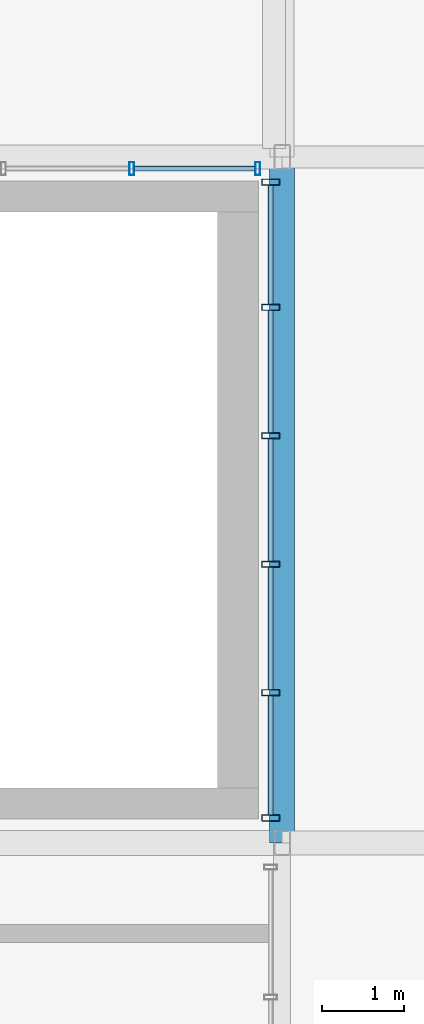
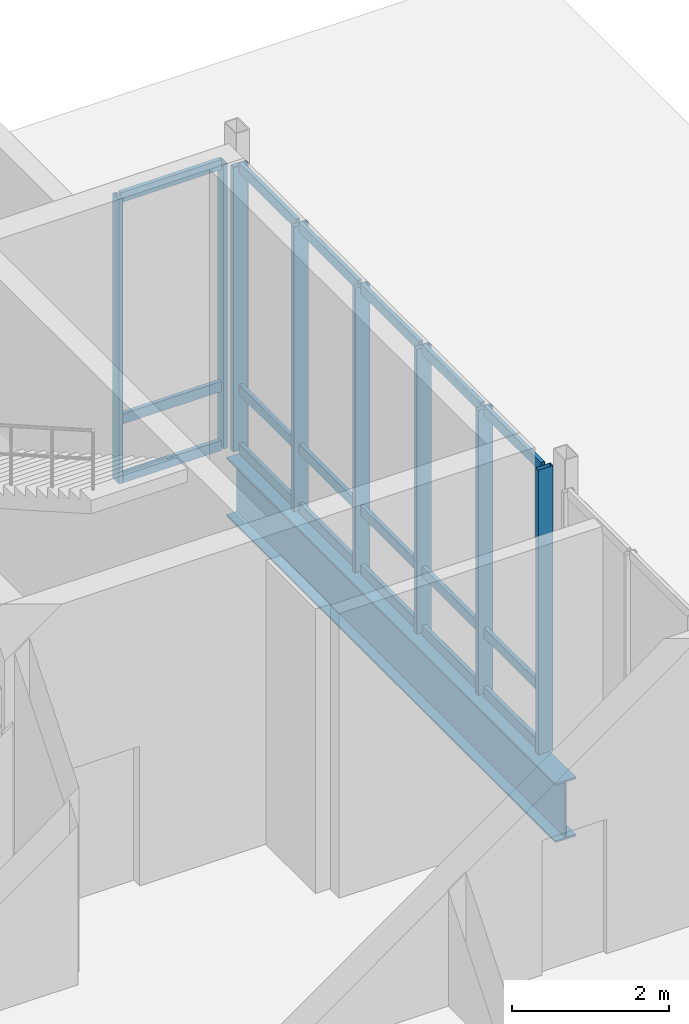
# One storey, part 37 of 81: 26 members, 1 beam, 2 elements without a shape of their own.
"""IFC4 building model written with IfcOpenShell, lengths in metres."""

from ifc_helpers import new_model, si_unit, direction, frame, origin_with_axes, origin_2d_with_axis, place, context, subcontext, project, spatial, hollow_rectangle, i_section, extrude, material, material_profile, profile_set, type_object, element, aggregate, save


model = new_model("IFC4")

# Units and contexts
model_context = context("Model", 3, precision=1e-05, world=origin_with_axes(), true_north=direction((0.0, 1.0)))
body_context = subcontext(model_context, "Body", "Model", "MODEL_VIEW")
ifc_project = project(units=[si_unit("LENGTHUNIT", "METRE"), si_unit("AREAUNIT", "SQUARE_METRE"), si_unit("VOLUMEUNIT", "CUBIC_METRE"), si_unit("PLANEANGLEUNIT", "RADIAN"), si_unit("MASSUNIT", "GRAM", prefix="KILO"), si_unit("THERMODYNAMICTEMPERATUREUNIT", "KELVIN")], contexts=[model_context])

# Site, building, storey
site_placement = place(None, origin_with_axes())
site = spatial("IfcSite", under=ifc_project, at=site_placement, CompositionType="ELEMENT")
building_placement = place(site_placement, origin_with_axes())
building = spatial("IfcBuilding", under=site, at=building_placement, Name="Montbau Bow Law Courts", CompositionType="ELEMENT")
storey_placement = place(building_placement, frame((0.0, 0.0, 24.9), z_axis=(0.0, 0.0, 1.0), x_axis=(1.0, 0.0, 0.0)))
storey = spatial("IfcBuildingStorey", under=building, at=storey_placement, Name="L05", CompositionType="ELEMENT", Elevation=24.9)

# Beam
ifc_material_1 = material(Name="Steel CSA G40.21 Grade 350W (350 MPa)", Category="steel")
ifc_material_profile_1 = material_profile(ifc_material_1, i_section(OverallWidth=0.306, OverallDepth=0.919, WebThickness=0.0173, FlangeThickness=0.0279, at=origin_2d_with_axis()), Name="W920X253", Category="Main", Priority=0)
ifc_profile_set_1 = profile_set([ifc_material_profile_1], Name="Steel CSA G40.21 Grade 350W (350 MPa)")
beam_type = type_object("IfcBeamType", Name="B-FLR-01", PredefinedType="BEAM", material=ifc_profile_set_1)
beam_placement = place(None, frame((88.8, 46.2, 24.12), z_axis=(0.0, 1.0, 0.0), x_axis=(-1.0, 0.0, 0.0)))
element("IfcBeam", 1, at=beam_placement, inside=storey, type_object=beam_type, Name="BM-L05-S0992:bm2_0995", PredefinedType="BEAM", context=body_context, shape_type="SweptSolid", body=[
    extrude(i_section(OverallWidth=0.306, OverallDepth=0.919, WebThickness=0.0173, FlangeThickness=0.0279, at=origin_2d_with_axis()), origin_with_axes(), (0.0, 0.0, 1.0), 8.4),
])

# Curtain wall, members
ifc_material_2 = material(Name="Thermally Broken Extruded Aluminium AA 6063-T6", Category="aluminium")
curtain_wall_type = type_object("IfcCurtainWallType", Name="CW-NCK-02", PredefinedType="NOTDEFINED", material=ifc_material_2)
curtain_wall_1_placement = place(None, frame((88.66, 46.468, 24.9), z_axis=(0.0, 0.0, 1.0), x_axis=(1.0, 0.0, 0.0)))
curtain_wall_1 = element("IfcCurtainWall", 2, at=curtain_wall_1_placement, inside=storey, type_object=curtain_wall_type, Name="CW-L05-222:cw_0222", PredefinedType="NOTDEFINED")
ifc_material_profile_2 = material_profile(ifc_material_2, hollow_rectangle(XDim=0.075, YDim=0.22, WallThickness=0.005, InnerFilletRadius=0.01, OuterFilletRadius=0.005, at=origin_2d_with_axis()), Name="CWM-220X75", Category="Main", Priority=0)
ifc_profile_set_2 = profile_set([ifc_material_profile_2], Name="Thermally Broken Extruded Aluminium AA 6063-T6")
member_type_1 = type_object("IfcMemberType", Name="M-MUL-01", PredefinedType="MULLION", material=ifc_profile_set_2)
member_1_placement = place(None, frame((88.66, 46.505, 24.9), z_axis=(0.0, 0.0, 1.0), x_axis=(0.0, 1.0, 0.0)))
member_1 = element("IfcMember", 3, at=member_1_placement, type_object=member_type_1, Name="CW-L05-222-M01:cw_0222_M01", PredefinedType="MULLION", context=body_context, shape_type="SweptSolid", body=[
    extrude(hollow_rectangle(XDim=0.075, YDim=0.22, WallThickness=0.005, InnerFilletRadius=0.01, OuterFilletRadius=0.005, at=origin_2d_with_axis()), origin_with_axes(), (0.0, 0.0, 1.0), 4.44),
])
member_2_placement = place(None, frame((88.66, 48.041, 24.9), z_axis=(0.0, 0.0, 1.0), x_axis=(0.0, 1.0, 0.0)))
member_2 = element("IfcMember", 4, at=member_2_placement, type_object=member_type_1, Name="CW-L05-222-M02:cw_0222_M02", PredefinedType="MULLION", context=body_context, shape_type="SweptSolid", body=[
    extrude(hollow_rectangle(XDim=0.075, YDim=0.22, WallThickness=0.005, InnerFilletRadius=0.01, OuterFilletRadius=0.005, at=origin_2d_with_axis()), origin_with_axes(), (0.0, 0.0, 1.0), 4.44),
])
member_3_placement = place(None, frame((88.66, 49.614, 24.9), z_axis=(0.0, 0.0, 1.0), x_axis=(0.0, 1.0, 0.0)))
member_3 = element("IfcMember", 5, at=member_3_placement, type_object=member_type_1, Name="CW-L05-222-M03:cw_0222_M03", PredefinedType="MULLION", context=body_context, shape_type="SweptSolid", body=[
    extrude(hollow_rectangle(XDim=0.075, YDim=0.22, WallThickness=0.005, InnerFilletRadius=0.01, OuterFilletRadius=0.005, at=origin_2d_with_axis()), origin_with_axes(), (0.0, 0.0, 1.0), 4.44),
])
member_4_placement = place(None, frame((88.66, 51.186, 24.9), z_axis=(0.0, 0.0, 1.0), x_axis=(0.0, 1.0, 0.0)))
member_4 = element("IfcMember", 6, at=member_4_placement, type_object=member_type_1, Name="CW-L05-222-M04:cw_0222_M04", PredefinedType="MULLION", context=body_context, shape_type="SweptSolid", body=[
    extrude(hollow_rectangle(XDim=0.075, YDim=0.22, WallThickness=0.005, InnerFilletRadius=0.01, OuterFilletRadius=0.005, at=origin_2d_with_axis()), origin_with_axes(), (0.0, 0.0, 1.0), 4.44),
])
member_5_placement = place(None, frame((88.66, 52.759, 24.9), z_axis=(0.0, 0.0, 1.0), x_axis=(0.0, 1.0, 0.0)))
member_5 = element("IfcMember", 7, at=member_5_placement, type_object=member_type_1, Name="CW-L05-222-M05:cw_0222_M05", PredefinedType="MULLION", context=body_context, shape_type="SweptSolid", body=[
    extrude(hollow_rectangle(XDim=0.075, YDim=0.22, WallThickness=0.005, InnerFilletRadius=0.01, OuterFilletRadius=0.005, at=origin_2d_with_axis()), origin_with_axes(), (0.0, 0.0, 1.0), 4.44),
])
member_6_placement = place(None, frame((88.66, 54.294, 24.9), z_axis=(0.0, 0.0, 1.0), x_axis=(0.0, 1.0, 0.0)))
member_6 = element("IfcMember", 8, at=member_6_placement, type_object=member_type_1, Name="CW-L05-222-M06:cw_0222_M06", PredefinedType="MULLION", context=body_context, shape_type="SweptSolid", body=[
    extrude(hollow_rectangle(XDim=0.075, YDim=0.22, WallThickness=0.005, InnerFilletRadius=0.01, OuterFilletRadius=0.005, at=origin_2d_with_axis()), origin_with_axes(), (0.0, 0.0, 1.0), 4.44),
])

curtain_wall_2_placement = place(None, frame((80.668, 54.46, 24.9), z_axis=(0.0, 0.0, 1.0), x_axis=(1.0, 0.0, 0.0)))
curtain_wall_2 = element("IfcCurtainWall", 9, at=curtain_wall_2_placement, inside=storey, type_object=curtain_wall_type, Name="CW-L05-218:cw_0218", PredefinedType="NOTDEFINED")
ifc_material_profile_3 = material_profile(ifc_material_2, hollow_rectangle(XDim=0.06, YDim=0.16, WallThickness=0.004, InnerFilletRadius=0.008, OuterFilletRadius=0.004, at=origin_2d_with_axis()), Name="CWM-160X60", Category="Main", Priority=0)
ifc_profile_set_3 = profile_set([ifc_material_profile_3], Name="Thermally Broken Extruded Aluminium AA 6063-T6")
member_type_2 = type_object("IfcMemberType", Name="M-MUL-03", PredefinedType="MULLION", material=ifc_profile_set_3)
member_7_placement = place(None, frame((86.959, 54.46, 24.9), z_axis=(0.0, 0.0, 1.0), x_axis=(1.0, 0.0, 0.0)))
member_7 = element("IfcMember", 10, at=member_7_placement, type_object=member_type_2, Name="CW-L05-218-M05:cw_0218_M05", PredefinedType="MULLION", context=body_context, shape_type="SweptSolid", body=[
    extrude(hollow_rectangle(XDim=0.06, YDim=0.16, WallThickness=0.004, InnerFilletRadius=0.008, OuterFilletRadius=0.004, at=origin_2d_with_axis()), origin_with_axes(), (0.0, 0.0, 1.0), 4.44),
])
member_8_placement = place(None, frame((88.502, 54.46, 24.9), z_axis=(0.0, 0.0, 1.0), x_axis=(1.0, 0.0, 0.0)))
member_8 = element("IfcMember", 11, at=member_8_placement, type_object=member_type_2, Name="CW-L05-218-M06:cw_0218_M06", PredefinedType="MULLION", context=body_context, shape_type="SweptSolid", body=[
    extrude(hollow_rectangle(XDim=0.06, YDim=0.16, WallThickness=0.004, InnerFilletRadius=0.008, OuterFilletRadius=0.004, at=origin_2d_with_axis()), origin_with_axes(), (0.0, 0.0, 1.0), 4.44),
])
ifc_material_profile_4 = material_profile(ifc_material_2, hollow_rectangle(XDim=0.06, YDim=0.16, WallThickness=0.004, InnerFilletRadius=0.008, OuterFilletRadius=0.004, at=origin_2d_with_axis()), Name="CWT-160X60", Category="Main", Priority=0)
ifc_profile_set_4 = profile_set([ifc_material_profile_4], Name="Thermally Broken Extruded Aluminium AA 6063-T6")
member_type_3 = type_object("IfcMemberType", Name="M-TRN-01", PredefinedType="USERDEFINED", material=ifc_profile_set_4)
member_9_placement = place(None, frame((86.991, 54.46, 24.93), z_axis=(1.0, 0.0, 0.0), x_axis=(0.0, 1.0, 0.0)))
member_9 = element("IfcMember", 12, at=member_9_placement, type_object=member_type_3, Name="CW-L05-218-T05-1:cw_0218_T05_1", ObjectType="TRANSOM", PredefinedType="USERDEFINED", context=body_context, shape_type="SweptSolid", body=[
    extrude(hollow_rectangle(XDim=0.06, YDim=0.16, WallThickness=0.004, InnerFilletRadius=0.008, OuterFilletRadius=0.004, at=origin_2d_with_axis()), origin_with_axes(), (0.0, 0.0, 1.0), 1.479),
])
member_10_placement = place(None, frame((86.991, 54.46, 25.85), z_axis=(1.0, 0.0, 0.0), x_axis=(0.0, 1.0, 0.0)))
member_10 = element("IfcMember", 13, at=member_10_placement, type_object=member_type_3, Name="CW-L05-218-T05-2:cw_0218_T05_2", ObjectType="TRANSOM", PredefinedType="USERDEFINED", context=body_context, shape_type="SweptSolid", body=[
    extrude(hollow_rectangle(XDim=0.06, YDim=0.16, WallThickness=0.004, InnerFilletRadius=0.008, OuterFilletRadius=0.004, at=origin_2d_with_axis()), origin_with_axes(), (0.0, 0.0, 1.0), 1.479),
])
member_11_placement = place(None, frame((86.991, 54.46, 29.31), z_axis=(1.0, 0.0, 0.0), x_axis=(0.0, 1.0, 0.0)))
member_11 = element("IfcMember", 14, at=member_11_placement, type_object=member_type_3, Name="CW-L05-218-T05-3:cw_0218_T05_3", ObjectType="TRANSOM", PredefinedType="USERDEFINED", context=body_context, shape_type="SweptSolid", body=[
    extrude(hollow_rectangle(XDim=0.06, YDim=0.16, WallThickness=0.004, InnerFilletRadius=0.008, OuterFilletRadius=0.004, at=origin_2d_with_axis()), origin_with_axes(), (0.0, 0.0, 1.0), 1.479),
])
aggregate(curtain_wall_2, [member_7, member_8, member_9, member_10, member_11])

# Member
member_12_placement = place(None, frame((88.66, 46.544, 24.93), z_axis=(0.0, 1.0, 0.0), x_axis=(-1.0, 0.0, 0.0)))
member_12 = element("IfcMember", 15, at=member_12_placement, type_object=member_type_3, Name="CW-L05-222-T01-1:cw_0222_T01_1", ObjectType="TRANSOM", PredefinedType="USERDEFINED", context=body_context, shape_type="SweptSolid", body=[
    extrude(hollow_rectangle(XDim=0.06, YDim=0.16, WallThickness=0.004, InnerFilletRadius=0.008, OuterFilletRadius=0.004, at=origin_2d_with_axis()), origin_with_axes(), (0.0, 0.0, 1.0), 1.457),
])

member_13_placement = place(None, frame((88.66, 46.544, 25.85), z_axis=(0.0, 1.0, 0.0), x_axis=(-1.0, 0.0, 0.0)))
member_13 = element("IfcMember", 16, at=member_13_placement, type_object=member_type_3, Name="CW-L05-222-T01-2:cw_0222_T01_2", ObjectType="TRANSOM", PredefinedType="USERDEFINED", context=body_context, shape_type="SweptSolid", body=[
    extrude(hollow_rectangle(XDim=0.06, YDim=0.16, WallThickness=0.004, InnerFilletRadius=0.008, OuterFilletRadius=0.004, at=origin_2d_with_axis()), origin_with_axes(), (0.0, 0.0, 1.0), 1.457),
])

member_14_placement = place(None, frame((88.66, 46.544, 29.31), z_axis=(0.0, 1.0, 0.0), x_axis=(-1.0, 0.0, 0.0)))
member_14 = element("IfcMember", 17, at=member_14_placement, type_object=member_type_3, Name="CW-L05-222-T01-3:cw_0222_T01_3", ObjectType="TRANSOM", PredefinedType="USERDEFINED", context=body_context, shape_type="SweptSolid", body=[
    extrude(hollow_rectangle(XDim=0.06, YDim=0.16, WallThickness=0.004, InnerFilletRadius=0.008, OuterFilletRadius=0.004, at=origin_2d_with_axis()), origin_with_axes(), (0.0, 0.0, 1.0), 1.457),
])

member_15_placement = place(None, frame((88.66, 48.081, 24.93), z_axis=(0.0, 1.0, 0.0), x_axis=(-1.0, 0.0, 0.0)))
member_15 = element("IfcMember", 18, at=member_15_placement, type_object=member_type_3, Name="CW-L05-222-T02-1:cw_0222_T02_1", ObjectType="TRANSOM", PredefinedType="USERDEFINED", context=body_context, shape_type="SweptSolid", body=[
    extrude(hollow_rectangle(XDim=0.06, YDim=0.16, WallThickness=0.004, InnerFilletRadius=0.008, OuterFilletRadius=0.004, at=origin_2d_with_axis()), origin_with_axes(), (0.0, 0.0, 1.0), 1.494),
])

member_16_placement = place(None, frame((88.66, 48.081, 25.85), z_axis=(0.0, 1.0, 0.0), x_axis=(-1.0, 0.0, 0.0)))
member_16 = element("IfcMember", 19, at=member_16_placement, type_object=member_type_3, Name="CW-L05-222-T02-2:cw_0222_T02_2", ObjectType="TRANSOM", PredefinedType="USERDEFINED", context=body_context, shape_type="SweptSolid", body=[
    extrude(hollow_rectangle(XDim=0.06, YDim=0.16, WallThickness=0.004, InnerFilletRadius=0.008, OuterFilletRadius=0.004, at=origin_2d_with_axis()), origin_with_axes(), (0.0, 0.0, 1.0), 1.494),
])

member_17_placement = place(None, frame((88.66, 48.081, 29.31), z_axis=(0.0, 1.0, 0.0), x_axis=(-1.0, 0.0, 0.0)))
member_17 = element("IfcMember", 20, at=member_17_placement, type_object=member_type_3, Name="CW-L05-222-T02-3:cw_0222_T02_3", ObjectType="TRANSOM", PredefinedType="USERDEFINED", context=body_context, shape_type="SweptSolid", body=[
    extrude(hollow_rectangle(XDim=0.06, YDim=0.16, WallThickness=0.004, InnerFilletRadius=0.008, OuterFilletRadius=0.004, at=origin_2d_with_axis()), origin_with_axes(), (0.0, 0.0, 1.0), 1.494),
])

member_18_placement = place(None, frame((88.66, 49.653, 24.93), z_axis=(0.0, 1.0, 0.0), x_axis=(-1.0, 0.0, 0.0)))
member_18 = element("IfcMember", 21, at=member_18_placement, type_object=member_type_3, Name="CW-L05-222-T03-1:cw_0222_T03_1", ObjectType="TRANSOM", PredefinedType="USERDEFINED", context=body_context, shape_type="SweptSolid", body=[
    extrude(hollow_rectangle(XDim=0.06, YDim=0.16, WallThickness=0.004, InnerFilletRadius=0.008, OuterFilletRadius=0.004, at=origin_2d_with_axis()), origin_with_axes(), (0.0, 0.0, 1.0), 1.494),
])

member_19_placement = place(None, frame((88.66, 49.653, 25.85), z_axis=(0.0, 1.0, 0.0), x_axis=(-1.0, 0.0, 0.0)))
member_19 = element("IfcMember", 22, at=member_19_placement, type_object=member_type_3, Name="CW-L05-222-T03-2:cw_0222_T03_2", ObjectType="TRANSOM", PredefinedType="USERDEFINED", context=body_context, shape_type="SweptSolid", body=[
    extrude(hollow_rectangle(XDim=0.06, YDim=0.16, WallThickness=0.004, InnerFilletRadius=0.008, OuterFilletRadius=0.004, at=origin_2d_with_axis()), origin_with_axes(), (0.0, 0.0, 1.0), 1.494),
])

member_20_placement = place(None, frame((88.66, 49.653, 29.31), z_axis=(0.0, 1.0, 0.0), x_axis=(-1.0, 0.0, 0.0)))
member_20 = element("IfcMember", 23, at=member_20_placement, type_object=member_type_3, Name="CW-L05-222-T03-3:cw_0222_T03_3", ObjectType="TRANSOM", PredefinedType="USERDEFINED", context=body_context, shape_type="SweptSolid", body=[
    extrude(hollow_rectangle(XDim=0.06, YDim=0.16, WallThickness=0.004, InnerFilletRadius=0.008, OuterFilletRadius=0.004, at=origin_2d_with_axis()), origin_with_axes(), (0.0, 0.0, 1.0), 1.494),
])

member_21_placement = place(None, frame((88.66, 51.225, 24.93), z_axis=(0.0, 1.0, 0.0), x_axis=(-1.0, 0.0, 0.0)))
member_21 = element("IfcMember", 24, at=member_21_placement, type_object=member_type_3, Name="CW-L05-222-T04-1:cw_0222_T04_1", ObjectType="TRANSOM", PredefinedType="USERDEFINED", context=body_context, shape_type="SweptSolid", body=[
    extrude(hollow_rectangle(XDim=0.06, YDim=0.16, WallThickness=0.004, InnerFilletRadius=0.008, OuterFilletRadius=0.004, at=origin_2d_with_axis()), origin_with_axes(), (0.0, 0.0, 1.0), 1.495),
])

member_22_placement = place(None, frame((88.66, 51.225, 25.85), z_axis=(0.0, 1.0, 0.0), x_axis=(-1.0, 0.0, 0.0)))
member_22 = element("IfcMember", 25, at=member_22_placement, type_object=member_type_3, Name="CW-L05-222-T04-2:cw_0222_T04_2", ObjectType="TRANSOM", PredefinedType="USERDEFINED", context=body_context, shape_type="SweptSolid", body=[
    extrude(hollow_rectangle(XDim=0.06, YDim=0.16, WallThickness=0.004, InnerFilletRadius=0.008, OuterFilletRadius=0.004, at=origin_2d_with_axis()), origin_with_axes(), (0.0, 0.0, 1.0), 1.495),
])

member_23_placement = place(None, frame((88.66, 51.225, 29.31), z_axis=(0.0, 1.0, 0.0), x_axis=(-1.0, 0.0, 0.0)))
member_23 = element("IfcMember", 26, at=member_23_placement, type_object=member_type_3, Name="CW-L05-222-T04-3:cw_0222_T04_3", ObjectType="TRANSOM", PredefinedType="USERDEFINED", context=body_context, shape_type="SweptSolid", body=[
    extrude(hollow_rectangle(XDim=0.06, YDim=0.16, WallThickness=0.004, InnerFilletRadius=0.008, OuterFilletRadius=0.004, at=origin_2d_with_axis()), origin_with_axes(), (0.0, 0.0, 1.0), 1.495),
])

member_24_placement = place(None, frame((88.66, 52.798, 24.93), z_axis=(0.0, 1.0, 0.0), x_axis=(-1.0, 0.0, 0.0)))
member_24 = element("IfcMember", 27, at=member_24_placement, type_object=member_type_3, Name="CW-L05-222-T05-1:cw_0222_T05_1", ObjectType="TRANSOM", PredefinedType="USERDEFINED", context=body_context, shape_type="SweptSolid", body=[
    extrude(hollow_rectangle(XDim=0.06, YDim=0.16, WallThickness=0.004, InnerFilletRadius=0.008, OuterFilletRadius=0.004, at=origin_2d_with_axis()), origin_with_axes(), (0.0, 0.0, 1.0), 1.457),
])

member_25_placement = place(None, frame((88.66, 52.798, 25.85), z_axis=(0.0, 1.0, 0.0), x_axis=(-1.0, 0.0, 0.0)))
member_25 = element("IfcMember", 28, at=member_25_placement, type_object=member_type_3, Name="CW-L05-222-T05-2:cw_0222_T05_2", ObjectType="TRANSOM", PredefinedType="USERDEFINED", context=body_context, shape_type="SweptSolid", body=[
    extrude(hollow_rectangle(XDim=0.06, YDim=0.16, WallThickness=0.004, InnerFilletRadius=0.008, OuterFilletRadius=0.004, at=origin_2d_with_axis()), origin_with_axes(), (0.0, 0.0, 1.0), 1.457),
])

member_26_placement = place(None, frame((88.66, 52.798, 29.31), z_axis=(0.0, 1.0, 0.0), x_axis=(-1.0, 0.0, 0.0)))
member_26 = element("IfcMember", 29, at=member_26_placement, type_object=member_type_3, Name="CW-L05-222-T05-3:cw_0222_T05_3", ObjectType="TRANSOM", PredefinedType="USERDEFINED", context=body_context, shape_type="SweptSolid", body=[
    extrude(hollow_rectangle(XDim=0.06, YDim=0.16, WallThickness=0.004, InnerFilletRadius=0.008, OuterFilletRadius=0.004, at=origin_2d_with_axis()), origin_with_axes(), (0.0, 0.0, 1.0), 1.457),
])

aggregate(curtain_wall_1, [member_1, member_2, member_3, member_4, member_5, member_6, member_12, member_13, member_14, member_15, member_16, member_17, member_18, member_19, member_20, member_21, member_22, member_23, member_24, member_25, member_26])

save(model, "model.ifc")
